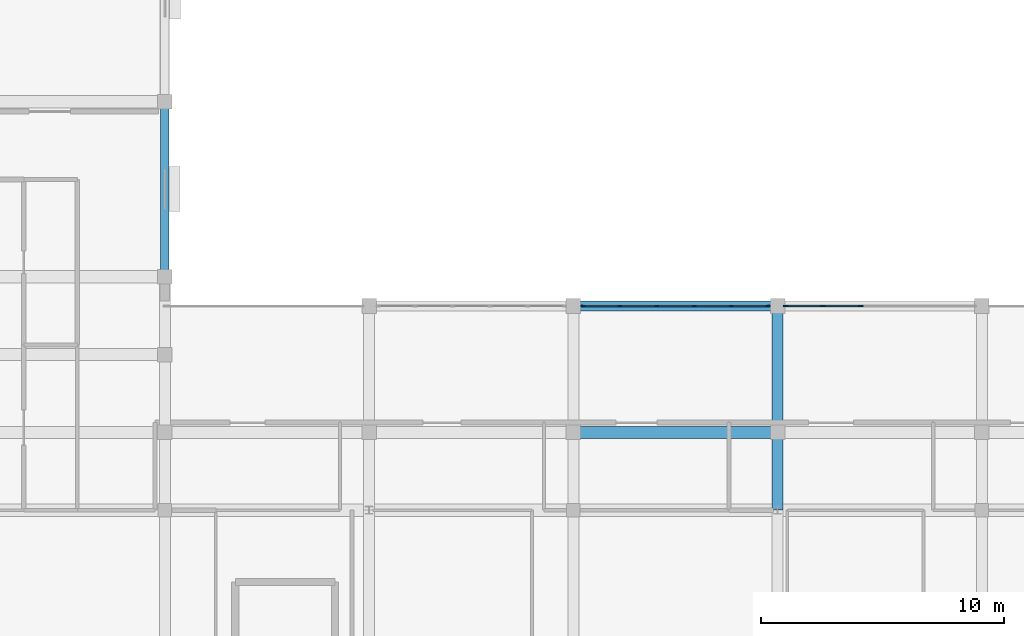
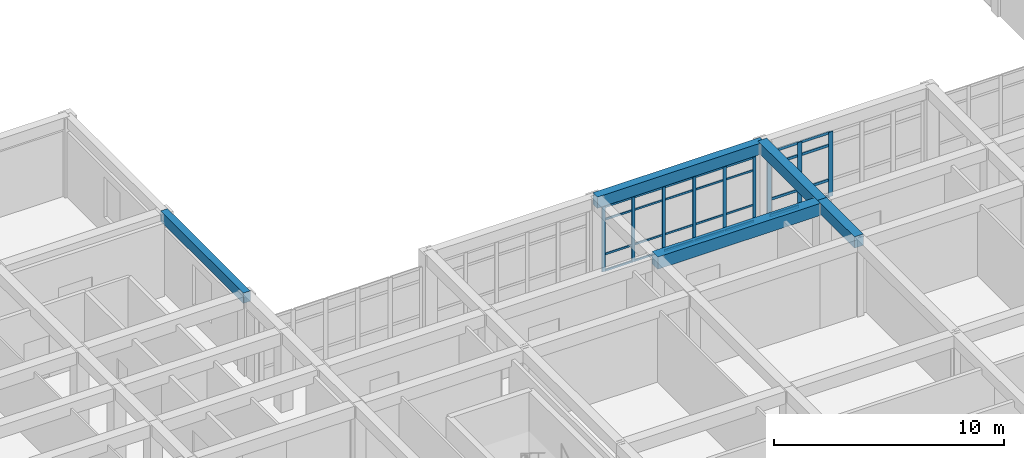
# One storey, part 21 of 77: 37 members, 5 beams, 2 elements without a shape of their own.
"""IFC4 building model written with IfcOpenShell, lengths in metres."""

import ifcopenshell
import ifcopenshell.guid

model = None  # the IFC model being written
_history = None  # IfcOwnerHistory: only IFC2X3 demands one
_inside = {}  # id of a spatial element -> (the spatial element, [elements in it])
_under = {}  # id of a project, library or spatial element -> (it, [spatial elements below it])
_declared = {}  # id of a project -> (the project, [libraries it declares])
_typed = {}  # id of a type object -> (the type object, [elements of that type])
_made_of = {}  # id of a material, layer set ... -> (it, [elements and type objects made of it])


def new_model(schema):
    """Start an empty IFC model of exactly this schema.

    Asked for "IFC4X3", IfcOpenShell would pick the latest addendum, in which some entities
    have other attributes; the version numbers below select the first issue.
    IFC2X3 requires an IfcOwnerHistory on every rooted entity: one is made here for all.
    """
    global model, _history
    if schema == "IFC4X3":
        model = ifcopenshell.file(schema_version=(4, 3, 0, 0))
    else:
        model = ifcopenshell.file(schema=schema)
    _inside.clear()
    _under.clear()
    _declared.clear()
    _typed.clear()
    _made_of.clear()
    _history = None
    if model.schema == "IFC2X3":
        org = make("IfcOrganization", Name="unknown")
        user = make(
            "IfcPersonAndOrganization",
            ThePerson=make("IfcPerson", FamilyName="unknown"),
            TheOrganization=org,
        )
        app = make(
            "IfcApplication",
            ApplicationDeveloper=org,
            Version="unknown",
            ApplicationFullName="unknown",
            ApplicationIdentifier="unknown",
        )
        _history = make(
            "IfcOwnerHistory",
            OwningUser=user,
            OwningApplication=app,
            ChangeAction="ADDED",
            CreationDate=0,
        )
    return model


def make(cls, **values):
    """One entity of the class cls with the attributes given. An attribute that is None is left unset."""
    return model.create_entity(
        cls, **{name: value for name, value in values.items() if value is not None}
    )


def rooted(cls, **values):
    """An entity with a GlobalId (a new one), such as an element, a storey or a relation."""
    return make(cls, GlobalId=ifcopenshell.guid.new(), OwnerHistory=_history, **values)


def si_unit(unit_type, name, prefix=None):
    """IfcSIUnit, for example si_unit("LENGTHUNIT", "METRE", prefix="MILLI")."""
    return make("IfcSIUnit", UnitType=unit_type, Prefix=prefix, Name=name)


def assignment(units):
    """IfcUnitAssignment: the units of a project."""
    return None if units is None else make("IfcUnitAssignment", Units=units)


def point(xyz):
    """IfcCartesianPoint."""
    return None if xyz is None else make("IfcCartesianPoint", Coordinates=xyz)


def direction(xyz):
    """IfcDirection."""
    return None if xyz is None else make("IfcDirection", DirectionRatios=xyz)


def frame(location, z_axis=None, x_axis=None):
    """IfcAxis2Placement3D, a coordinate frame: its origin and axes. An axis left out is left unset."""
    return make(
        "IfcAxis2Placement3D",
        Location=point(location),
        Axis=direction(z_axis),
        RefDirection=direction(x_axis),
    )


def frame_2d(location, x_axis=None):
    """IfcAxis2Placement2D, a coordinate frame in the plane: its origin and x axis."""
    return make(
        "IfcAxis2Placement2D", Location=point(location), RefDirection=direction(x_axis)
    )


def origin():
    """The frame at (0, 0, 0) with its axes left unset."""
    return frame((0.0, 0.0, 0.0))


def origin_2d():
    """The frame at (0, 0) in the plane with its x axis left unset."""
    return frame_2d((0.0, 0.0))


def place(relative_to, where):
    """IfcLocalPlacement: puts the frame where relative to a parent placement (None: the world)."""
    return make(
        "IfcLocalPlacement", PlacementRelTo=relative_to, RelativePlacement=where
    )


def context(
    kind, dimensions, precision=None, world=None, true_north=None, identifier=None
):
    """IfcGeometricRepresentationContext, for example the 3D "Model" context."""
    return make(
        "IfcGeometricRepresentationContext",
        ContextIdentifier=identifier,
        ContextType=kind,
        CoordinateSpaceDimension=dimensions,
        Precision=precision,
        WorldCoordinateSystem=world,
        TrueNorth=true_north,
    )


def subcontext(parent, identifier, kind, view, scale=None):
    """IfcGeometricRepresentationSubContext, for example "Body" below "Model"."""
    return make(
        "IfcGeometricRepresentationSubContext",
        ContextIdentifier=identifier,
        ContextType=kind,
        ParentContext=parent,
        TargetScale=scale,
        TargetView=view,
    )


def project(units=None, contexts=None):
    """IfcProject with its units and contexts."""
    return rooted(
        "IfcProject",
        Name="project",
        RepresentationContexts=contexts,
        UnitsInContext=assignment(units),
    )


def spatial(cls, under=None, at=None, **own):
    """A site, building, storey or space (cls), placed at a placement, below another one or the project."""
    s = rooted(cls, ObjectPlacement=at, **own)
    if under is not None:
        _under.setdefault(under.id(), (under, []))[1].append(s)
    return s


def profile(cls, at=None, kind="AREA", **sizes):
    """A parametric profile (cls). Its sizes go by their IFC names, for example OverallWidth=200.0."""
    return make(cls, ProfileType=kind, Position=at, **sizes)


def rectangle(**sizes):
    """IfcRectangleProfileDef."""
    return profile("IfcRectangleProfileDef", **sizes)


def extrude(swept, where, along, depth):
    """IfcExtrudedAreaSolid: the profile swept, set in the frame where, extruded along a direction by depth."""
    return make(
        "IfcExtrudedAreaSolid",
        SweptArea=swept,
        Position=where,
        ExtrudedDirection=direction(along),
        Depth=depth,
    )


def shape(context_of_items, identifier, shape_type, items):
    """IfcShapeRepresentation: the items that make up one representation, for example the "Body"."""
    return make(
        "IfcShapeRepresentation",
        ContextOfItems=context_of_items,
        RepresentationIdentifier=identifier,
        RepresentationType=shape_type,
        Items=items,
    )


def material(Name=None, Category=None):
    """IfcMaterial."""
    return make("IfcMaterial", Name=Name, Category=Category)


def material_profile(
    of_material, cross_section, Name=None, Category=None, Priority=None
):
    """IfcMaterialProfile: a cross section and its material."""
    return make(
        "IfcMaterialProfile",
        Name=Name,
        Material=of_material,
        Profile=cross_section,
        Priority=Priority,
        Category=Category,
    )


def profile_set(profiles, Name=None, composite=None):
    """IfcMaterialProfileSet."""
    return make(
        "IfcMaterialProfileSet",
        Name=Name,
        MaterialProfiles=profiles,
        CompositeProfile=composite,
    )


def made_of(thing, what):
    """Note that an element or type object is made of a material, layer set ...; save() writes the relation."""
    if what is not None:
        _made_of.setdefault(what.id(), (what, []))[1].append(thing)
    return thing


def type_object(cls, material=None, **own):
    """A type object (cls), such as IfcWallType, which elements share."""
    return made_of(rooted(cls, **own), material)


def element(
    cls,
    number,
    at=None,
    inside=None,
    cuts=None,
    type_object=None,
    material=None,
    context=None,
    identifier="Body",
    shape_type=None,
    held_by="IfcProductDefinitionShape",
    body=None,
    shapes=None,
    **own,
):
    """One element of the class cls, such as IfcWall. Its Tag is "e" and its number.

    at: its placement. inside: the storey or other place that contains it. cuts: it is an
    opening in that element (IfcRelVoidsElement). A single representation is given by context,
    identifier, shape_type and body (its items); several are given by shapes. held_by: the class
    of the entity that holds the representations. save() writes the other relations.
    """
    e = rooted(cls, Tag="e%d" % number, ObjectPlacement=at, **own)
    if body is not None:
        shapes = [shape(context, identifier, shape_type, body)]
    if shapes is not None:
        e.Representation = make(held_by, Representations=shapes)
    if inside is not None:
        _inside.setdefault(inside.id(), (inside, []))[1].append(e)
    if cuts is not None:
        rooted(
            "IfcRelVoidsElement", RelatingBuildingElement=cuts, RelatedOpeningElement=e
        )
    if type_object is not None:
        _typed.setdefault(type_object.id(), (type_object, []))[1].append(e)
    return made_of(e, material)


def aggregate(whole, parts):
    """IfcRelAggregates: a whole, such as a stair, and the parts it consists of."""
    return rooted("IfcRelAggregates", RelatingObject=whole, RelatedObjects=parts)


def save(model, path):
    """Write the relations noted so far, then the file.

    IfcRelAggregates (storeys below a building ...), IfcRelContainedInSpatialStructure (elements
    in a storey), IfcRelDefinesByType, IfcRelAssociatesMaterial and IfcRelDeclares: one each for
    every whole, place, type object, material and project.
    """
    for whole, parts in _under.values():
        aggregate(whole, parts)
    for where, things in _inside.values():
        rooted(
            "IfcRelContainedInSpatialStructure",
            RelatedElements=things,
            RelatingStructure=where,
        )
    for kind, things in _typed.values():
        rooted("IfcRelDefinesByType", RelatedObjects=things, RelatingType=kind)
    for what, things in _made_of.values():
        rooted("IfcRelAssociatesMaterial", RelatedObjects=things, RelatingMaterial=what)
    for by, libraries in _declared.values():
        rooted("IfcRelDeclares", RelatingContext=by, RelatedDefinitions=libraries)
    model.write(path)


model = new_model("IFC4")

# Units and contexts
model_context = context("Model", 3, precision=1e-05, world=origin(), true_north=direction((0.0, 1.0)))
body_context = subcontext(model_context, "Body", "Model", "MODEL_VIEW")
ifc_project = project(units=[si_unit("LENGTHUNIT", "METRE"), si_unit("AREAUNIT", "SQUARE_METRE"), si_unit("VOLUMEUNIT", "CUBIC_METRE"), si_unit("PLANEANGLEUNIT", "RADIAN"), si_unit("MASSUNIT", "GRAM", prefix="KILO")], contexts=[model_context])

# Site, building, storey
site_placement = place(None, origin())
site = spatial("IfcSite", under=ifc_project, at=site_placement, CompositionType="ELEMENT")
building_placement = place(site_placement, origin())
building = spatial("IfcBuilding", under=site, at=building_placement, Name="Varncliffe General Hospital", CompositionType="ELEMENT")
storey_placement = place(building_placement, frame((0.0, 0.0, 16.199951171875)))
storey = spatial("IfcBuildingStorey", under=building, at=storey_placement, Name="L03", CompositionType="ELEMENT", Elevation=16.199951171875)

# Beams
ifc_material_1 = material(Name="Concrete C35/45 (CSA A23.1 35 MPa)", Category="concrete")
ifc_material_profile_1 = material_profile(ifc_material_1, rectangle(XDim=0.5, YDim=0.64990234375, at=origin_2d()), Name="RC 500x650")
ifc_profile_set_1 = profile_set([ifc_material_profile_1], Name="Concrete C35/45 (CSA A23.1 35 MPa)")
beam_type_1 = type_object("IfcBeamType", Name="Beam B29 (Int RC 500x650)", PredefinedType="BEAM", material=ifc_profile_set_1)
beam_1_placement = place(storey_placement, frame((84.0, 102.800048828125, 3.875), z_axis=(1.0, 0.0, 0.0), x_axis=(0.0, 1.0, 0.0)))
element("IfcBeam", 1, at=beam_1_placement, inside=storey, type_object=beam_type_1, Name="L03 Primary Beam B29-135", PredefinedType="BEAM", context=body_context, shape_type="SweptSolid", body=[
    extrude(rectangle(XDim=0.5, YDim=0.64990234375, at=origin_2d()), origin(), (0.0, 0.0, 1.0), 8.39990234375),
])
ifc_material_profile_2 = material_profile(ifc_material_1, rectangle(XDim=0.449951171875, YDim=0.60009765625, at=origin_2d()), Name="RC 450x600")
ifc_profile_set_2 = profile_set([ifc_material_profile_2], Name="Concrete C35/45 (CSA A23.1 35 MPa)")
beam_type_2 = type_object("IfcBeamType", Name="Beam B47 (Int RC 450x600)", PredefinedType="BEAM", material=ifc_profile_set_2)
beam_2_placement = place(storey_placement, frame((92.39990234375, 99.60009765625, 3.900146484375), z_axis=(0.0, 1.0, 0.0), x_axis=(-1.0, 0.0, 0.0)))
element("IfcBeam", 2, at=beam_2_placement, inside=storey, type_object=beam_type_2, Name="L03 Primary Beam B47-311", PredefinedType="BEAM", context=body_context, shape_type="SweptSolid", body=[
    extrude(rectangle(XDim=0.449951171875, YDim=0.60009765625, at=origin_2d()), origin(), (0.0, 0.0, 1.0), 3.199951171875),
])
beam_3_placement = place(storey_placement, frame((92.39990234375, 102.800048828125, 3.900146484375), z_axis=(0.0, 1.0, 0.0), x_axis=(-1.0, 0.0, 0.0)))
element("IfcBeam", 3, at=beam_3_placement, inside=storey, type_object=beam_type_2, Name="L03 Primary Beam B47-312", PredefinedType="BEAM", context=body_context, shape_type="SweptSolid", body=[
    extrude(rectangle(XDim=0.449951171875, YDim=0.60009765625, at=origin_2d()), origin(), (0.0, 0.0, 1.0), 5.199951171875),
])

# Curtain wall, members
ifc_material_2 = material(Name="Triple low-E argon insulated vision glazing", Category="glass")
curtain_wall_type_1 = type_object("IfcCurtainWallType", Name="Unitised Glazed Curtain Wall CW69 (7644x3440)", PredefinedType="USERDEFINED", material=ifc_material_2)
curtain_wall_1_placement = place(storey_placement, origin())
curtain_wall_1 = element("IfcCurtainWall", 4, at=curtain_wall_1_placement, inside=storey, type_object=curtain_wall_type_1, Name="L03 Glazed Curtain Wall CW69-155", ObjectType="GLAZED CURTAIN WALL", PredefinedType="USERDEFINED")
ifc_material_3 = material(Name="Dark bronze thermally broken aluminium framing", Category="aluminium")
ifc_material_profile_3 = material_profile(ifc_material_3, rectangle(XDim=0.06494140625, YDim=0.159912109375, at=origin_2d()), Name="ALU 65x160")
ifc_profile_set_3 = profile_set([ifc_material_profile_3], Name="Dark bronze thermally broken aluminium framing")
member_type_1 = type_object("IfcMemberType", Name="Curtain Wall Mullion CM65 (ALU 65x160)", PredefinedType="MULLION", material=ifc_profile_set_3)
member_1_placement = place(storey_placement, frame((84.410400390625, 108.0, 0.0), z_axis=(0.0, 0.0, 1.0), x_axis=(0.0, 1.0, 0.0)))
member_1 = element("IfcMember", 5, at=member_1_placement, type_object=member_type_1, Name="CW69 mullion 1", PredefinedType="MULLION", context=body_context, shape_type="SweptSolid", body=[
    extrude(rectangle(XDim=0.06494140625, YDim=0.159912109375, at=origin_2d()), origin(), (0.0, 0.0, 1.0), 3.43994140625),
])
member_2_placement = place(storey_placement, frame((85.90673828125, 108.0, 0.0), z_axis=(0.0, 0.0, 1.0), x_axis=(0.0, 1.0, 0.0)))
member_2 = element("IfcMember", 6, at=member_2_placement, type_object=member_type_1, Name="CW69 mullion 2", PredefinedType="MULLION", context=body_context, shape_type="SweptSolid", body=[
    extrude(rectangle(XDim=0.06494140625, YDim=0.159912109375, at=origin_2d()), origin(), (0.0, 0.0, 1.0), 3.43994140625),
])
member_3_placement = place(storey_placement, frame((87.435546875, 108.0, 0.0), z_axis=(0.0, 0.0, 1.0), x_axis=(0.0, 1.0, 0.0)))
member_3 = element("IfcMember", 7, at=member_3_placement, type_object=member_type_1, Name="CW69 mullion 3", PredefinedType="MULLION", context=body_context, shape_type="SweptSolid", body=[
    extrude(rectangle(XDim=0.06494140625, YDim=0.159912109375, at=origin_2d()), origin(), (0.0, 0.0, 1.0), 3.43994140625),
])
member_4_placement = place(storey_placement, frame((88.96435546875, 108.0, 0.0), z_axis=(0.0, 0.0, 1.0), x_axis=(0.0, 1.0, 0.0)))
member_4 = element("IfcMember", 8, at=member_4_placement, type_object=member_type_1, Name="CW69 mullion 4", PredefinedType="MULLION", context=body_context, shape_type="SweptSolid", body=[
    extrude(rectangle(XDim=0.06494140625, YDim=0.159912109375, at=origin_2d()), origin(), (0.0, 0.0, 1.0), 3.43994140625),
])
member_5_placement = place(storey_placement, frame((90.4931640625, 108.0, 0.0), z_axis=(0.0, 0.0, 1.0), x_axis=(0.0, 1.0, 0.0)))
member_5 = element("IfcMember", 9, at=member_5_placement, type_object=member_type_1, Name="CW69 mullion 5", PredefinedType="MULLION", context=body_context, shape_type="SweptSolid", body=[
    extrude(rectangle(XDim=0.06494140625, YDim=0.159912109375, at=origin_2d()), origin(), (0.0, 0.0, 1.0), 3.43994140625),
])
member_6_placement = place(storey_placement, frame((91.989501953125, 108.0, 0.0), z_axis=(0.0, 0.0, 1.0), x_axis=(0.0, 1.0, 0.0)))
member_6 = element("IfcMember", 10, at=member_6_placement, type_object=member_type_1, Name="CW69 mullion 6", PredefinedType="MULLION", context=body_context, shape_type="SweptSolid", body=[
    extrude(rectangle(XDim=0.06494140625, YDim=0.159912109375, at=origin_2d()), origin(), (0.0, 0.0, 1.0), 3.43994140625),
])

curtain_wall_type_2 = type_object("IfcCurtainWallType", Name="Unitised Glazed Curtain Wall CW36 (7804x3440)", PredefinedType="USERDEFINED", material=ifc_material_2)
curtain_wall_2_placement = place(storey_placement, origin())
curtain_wall_2 = element("IfcCurtainWall", 11, at=curtain_wall_2_placement, inside=storey, type_object=curtain_wall_type_2, Name="L03 Glazed Curtain Wall CW36-156", ObjectType="GLAZED CURTAIN WALL", PredefinedType="USERDEFINED")
ifc_material_profile_4 = material_profile(ifc_material_3, rectangle(XDim=0.074951171875, YDim=0.219970703125, at=origin_2d()), Name="ALU 75x220")
ifc_profile_set_4 = profile_set([ifc_material_profile_4], Name="Dark bronze thermally broken aluminium framing")
member_type_2 = type_object("IfcMemberType", Name="Curtain Wall Mullion CM74 (ALU 75x220)", PredefinedType="MULLION", material=ifc_profile_set_4)
member_7_placement = place(storey_placement, frame((92.735595703125, 108.0, 0.0), z_axis=(0.0, 0.0, 1.0), x_axis=(0.0, 1.0, 0.0)))
member_7 = element("IfcMember", 12, at=member_7_placement, type_object=member_type_2, Name="CW36 mullion 1", PredefinedType="MULLION", context=body_context, shape_type="SweptSolid", body=[
    extrude(rectangle(XDim=0.074951171875, YDim=0.219970703125, at=origin_2d()), origin(), (0.0, 0.0, 1.0), 3.43994140625),
])
member_8_placement = place(storey_placement, frame((94.2587890625, 108.0, 0.0), z_axis=(0.0, 0.0, 1.0), x_axis=(0.0, 1.0, 0.0)))
member_8 = element("IfcMember", 13, at=member_8_placement, type_object=member_type_2, Name="CW36 mullion 2", PredefinedType="MULLION", context=body_context, shape_type="SweptSolid", body=[
    extrude(rectangle(XDim=0.074951171875, YDim=0.219970703125, at=origin_2d()), origin(), (0.0, 0.0, 1.0), 3.43994140625),
])
member_9_placement = place(storey_placement, frame((95.819580078125, 108.0, 0.0), z_axis=(0.0, 0.0, 1.0), x_axis=(0.0, 1.0, 0.0)))
member_9 = element("IfcMember", 14, at=member_9_placement, type_object=member_type_2, Name="CW36 mullion 3", PredefinedType="MULLION", context=body_context, shape_type="SweptSolid", body=[
    extrude(rectangle(XDim=0.074951171875, YDim=0.219970703125, at=origin_2d()), origin(), (0.0, 0.0, 1.0), 3.43994140625),
])

# Member
ifc_material_profile_5 = material_profile(ifc_material_3, rectangle(XDim=0.06005859375, YDim=0.10009765625, at=origin_2d()), Name="ALU 60x100")
ifc_profile_set_5 = profile_set([ifc_material_profile_5], Name="Dark bronze thermally broken aluminium framing")
member_type_3 = type_object("IfcMemberType", Name="Curtain Wall Transom CT18 (ALU 60x100)", PredefinedType="USERDEFINED", material=ifc_profile_set_5)
member_10_placement = place(storey_placement, frame((84.443115234375, 108.0, 0.030029296875), z_axis=(1.0, 0.0, 0.0), x_axis=(0.0, 1.0, 0.0)))
member_10 = element("IfcMember", 15, at=member_10_placement, type_object=member_type_3, Name="CW69 transom 1.1", ObjectType="TRANSOM", PredefinedType="USERDEFINED", context=body_context, shape_type="SweptSolid", body=[
    extrude(rectangle(XDim=0.06005859375, YDim=0.10009765625, at=origin_2d()), origin(), (0.0, 0.0, 1.0), 1.43115234375),
])

member_11_placement = place(storey_placement, frame((84.443115234375, 108.0, 0.900146484375), z_axis=(1.0, 0.0, 0.0), x_axis=(0.0, 1.0, 0.0)))
member_11 = element("IfcMember", 16, at=member_11_placement, type_object=member_type_3, Name="CW69 transom 1.2", ObjectType="TRANSOM", PredefinedType="USERDEFINED", context=body_context, shape_type="SweptSolid", body=[
    extrude(rectangle(XDim=0.06005859375, YDim=0.10009765625, at=origin_2d()), origin(), (0.0, 0.0, 1.0), 1.43115234375),
])

member_12_placement = place(storey_placement, frame((84.443115234375, 108.0, 2.739990234375), z_axis=(1.0, 0.0, 0.0), x_axis=(0.0, 1.0, 0.0)))
member_12 = element("IfcMember", 17, at=member_12_placement, type_object=member_type_3, Name="CW69 transom 1.3", ObjectType="TRANSOM", PredefinedType="USERDEFINED", context=body_context, shape_type="SweptSolid", body=[
    extrude(rectangle(XDim=0.06005859375, YDim=0.10009765625, at=origin_2d()), origin(), (0.0, 0.0, 1.0), 1.43115234375),
])

member_13_placement = place(storey_placement, frame((84.443115234375, 108.0, 3.41015625), z_axis=(1.0, 0.0, 0.0), x_axis=(0.0, 1.0, 0.0)))
member_13 = element("IfcMember", 18, at=member_13_placement, type_object=member_type_3, Name="CW69 transom 1.4", ObjectType="TRANSOM", PredefinedType="USERDEFINED", context=body_context, shape_type="SweptSolid", body=[
    extrude(rectangle(XDim=0.06005859375, YDim=0.10009765625, at=origin_2d()), origin(), (0.0, 0.0, 1.0), 1.43115234375),
])

member_14_placement = place(storey_placement, frame((85.939208984375, 108.0, 0.030029296875), z_axis=(1.0, 0.0, 0.0), x_axis=(0.0, 1.0, 0.0)))
member_14 = element("IfcMember", 19, at=member_14_placement, type_object=member_type_3, Name="CW69 transom 2.1", ObjectType="TRANSOM", PredefinedType="USERDEFINED", context=body_context, shape_type="SweptSolid", body=[
    extrude(rectangle(XDim=0.06005859375, YDim=0.10009765625, at=origin_2d()), origin(), (0.0, 0.0, 1.0), 1.4638671875),
])

member_15_placement = place(storey_placement, frame((85.939208984375, 108.0, 0.900146484375), z_axis=(1.0, 0.0, 0.0), x_axis=(0.0, 1.0, 0.0)))
member_15 = element("IfcMember", 20, at=member_15_placement, type_object=member_type_3, Name="CW69 transom 2.2", ObjectType="TRANSOM", PredefinedType="USERDEFINED", context=body_context, shape_type="SweptSolid", body=[
    extrude(rectangle(XDim=0.06005859375, YDim=0.10009765625, at=origin_2d()), origin(), (0.0, 0.0, 1.0), 1.4638671875),
])

member_16_placement = place(storey_placement, frame((85.939208984375, 108.0, 2.739990234375), z_axis=(1.0, 0.0, 0.0), x_axis=(0.0, 1.0, 0.0)))
member_16 = element("IfcMember", 21, at=member_16_placement, type_object=member_type_3, Name="CW69 transom 2.3", ObjectType="TRANSOM", PredefinedType="USERDEFINED", context=body_context, shape_type="SweptSolid", body=[
    extrude(rectangle(XDim=0.06005859375, YDim=0.10009765625, at=origin_2d()), origin(), (0.0, 0.0, 1.0), 1.4638671875),
])

member_17_placement = place(storey_placement, frame((85.939208984375, 108.0, 3.41015625), z_axis=(1.0, 0.0, 0.0), x_axis=(0.0, 1.0, 0.0)))
member_17 = element("IfcMember", 22, at=member_17_placement, type_object=member_type_3, Name="CW69 transom 2.4", ObjectType="TRANSOM", PredefinedType="USERDEFINED", context=body_context, shape_type="SweptSolid", body=[
    extrude(rectangle(XDim=0.06005859375, YDim=0.10009765625, at=origin_2d()), origin(), (0.0, 0.0, 1.0), 1.4638671875),
])

member_18_placement = place(storey_placement, frame((87.468017578125, 108.0, 0.030029296875), z_axis=(1.0, 0.0, 0.0), x_axis=(0.0, 1.0, 0.0)))
member_18 = element("IfcMember", 23, at=member_18_placement, type_object=member_type_3, Name="CW69 transom 3.1", ObjectType="TRANSOM", PredefinedType="USERDEFINED", context=body_context, shape_type="SweptSolid", body=[
    extrude(rectangle(XDim=0.06005859375, YDim=0.10009765625, at=origin_2d()), origin(), (0.0, 0.0, 1.0), 1.4638671875),
])

member_19_placement = place(storey_placement, frame((87.468017578125, 108.0, 0.900146484375), z_axis=(1.0, 0.0, 0.0), x_axis=(0.0, 1.0, 0.0)))
member_19 = element("IfcMember", 24, at=member_19_placement, type_object=member_type_3, Name="CW69 transom 3.2", ObjectType="TRANSOM", PredefinedType="USERDEFINED", context=body_context, shape_type="SweptSolid", body=[
    extrude(rectangle(XDim=0.06005859375, YDim=0.10009765625, at=origin_2d()), origin(), (0.0, 0.0, 1.0), 1.4638671875),
])

member_20_placement = place(storey_placement, frame((87.468017578125, 108.0, 2.739990234375), z_axis=(1.0, 0.0, 0.0), x_axis=(0.0, 1.0, 0.0)))
member_20 = element("IfcMember", 25, at=member_20_placement, type_object=member_type_3, Name="CW69 transom 3.3", ObjectType="TRANSOM", PredefinedType="USERDEFINED", context=body_context, shape_type="SweptSolid", body=[
    extrude(rectangle(XDim=0.06005859375, YDim=0.10009765625, at=origin_2d()), origin(), (0.0, 0.0, 1.0), 1.4638671875),
])

member_21_placement = place(storey_placement, frame((87.468017578125, 108.0, 3.41015625), z_axis=(1.0, 0.0, 0.0), x_axis=(0.0, 1.0, 0.0)))
member_21 = element("IfcMember", 26, at=member_21_placement, type_object=member_type_3, Name="CW69 transom 3.4", ObjectType="TRANSOM", PredefinedType="USERDEFINED", context=body_context, shape_type="SweptSolid", body=[
    extrude(rectangle(XDim=0.06005859375, YDim=0.10009765625, at=origin_2d()), origin(), (0.0, 0.0, 1.0), 1.4638671875),
])

member_22_placement = place(storey_placement, frame((88.996826171875, 108.0, 0.030029296875), z_axis=(1.0, 0.0, 0.0), x_axis=(0.0, 1.0, 0.0)))
member_22 = element("IfcMember", 27, at=member_22_placement, type_object=member_type_3, Name="CW69 transom 4.1", ObjectType="TRANSOM", PredefinedType="USERDEFINED", context=body_context, shape_type="SweptSolid", body=[
    extrude(rectangle(XDim=0.06005859375, YDim=0.10009765625, at=origin_2d()), origin(), (0.0, 0.0, 1.0), 1.4638671875),
])

member_23_placement = place(storey_placement, frame((88.996826171875, 108.0, 0.900146484375), z_axis=(1.0, 0.0, 0.0), x_axis=(0.0, 1.0, 0.0)))
member_23 = element("IfcMember", 28, at=member_23_placement, type_object=member_type_3, Name="CW69 transom 4.2", ObjectType="TRANSOM", PredefinedType="USERDEFINED", context=body_context, shape_type="SweptSolid", body=[
    extrude(rectangle(XDim=0.06005859375, YDim=0.10009765625, at=origin_2d()), origin(), (0.0, 0.0, 1.0), 1.4638671875),
])

member_24_placement = place(storey_placement, frame((88.996826171875, 108.0, 2.739990234375), z_axis=(1.0, 0.0, 0.0), x_axis=(0.0, 1.0, 0.0)))
member_24 = element("IfcMember", 29, at=member_24_placement, type_object=member_type_3, Name="CW69 transom 4.3", ObjectType="TRANSOM", PredefinedType="USERDEFINED", context=body_context, shape_type="SweptSolid", body=[
    extrude(rectangle(XDim=0.06005859375, YDim=0.10009765625, at=origin_2d()), origin(), (0.0, 0.0, 1.0), 1.4638671875),
])

member_25_placement = place(storey_placement, frame((88.996826171875, 108.0, 3.41015625), z_axis=(1.0, 0.0, 0.0), x_axis=(0.0, 1.0, 0.0)))
member_25 = element("IfcMember", 30, at=member_25_placement, type_object=member_type_3, Name="CW69 transom 4.4", ObjectType="TRANSOM", PredefinedType="USERDEFINED", context=body_context, shape_type="SweptSolid", body=[
    extrude(rectangle(XDim=0.06005859375, YDim=0.10009765625, at=origin_2d()), origin(), (0.0, 0.0, 1.0), 1.4638671875),
])

member_26_placement = place(storey_placement, frame((90.525634765625, 108.0, 0.030029296875), z_axis=(1.0, 0.0, 0.0), x_axis=(0.0, 1.0, 0.0)))
member_26 = element("IfcMember", 31, at=member_26_placement, type_object=member_type_3, Name="CW69 transom 5.1", ObjectType="TRANSOM", PredefinedType="USERDEFINED", context=body_context, shape_type="SweptSolid", body=[
    extrude(rectangle(XDim=0.06005859375, YDim=0.10009765625, at=origin_2d()), origin(), (0.0, 0.0, 1.0), 1.431396484375),
])

member_27_placement = place(storey_placement, frame((90.525634765625, 108.0, 0.900146484375), z_axis=(1.0, 0.0, 0.0), x_axis=(0.0, 1.0, 0.0)))
member_27 = element("IfcMember", 32, at=member_27_placement, type_object=member_type_3, Name="CW69 transom 5.2", ObjectType="TRANSOM", PredefinedType="USERDEFINED", context=body_context, shape_type="SweptSolid", body=[
    extrude(rectangle(XDim=0.06005859375, YDim=0.10009765625, at=origin_2d()), origin(), (0.0, 0.0, 1.0), 1.431396484375),
])

member_28_placement = place(storey_placement, frame((90.525634765625, 108.0, 2.739990234375), z_axis=(1.0, 0.0, 0.0), x_axis=(0.0, 1.0, 0.0)))
member_28 = element("IfcMember", 33, at=member_28_placement, type_object=member_type_3, Name="CW69 transom 5.3", ObjectType="TRANSOM", PredefinedType="USERDEFINED", context=body_context, shape_type="SweptSolid", body=[
    extrude(rectangle(XDim=0.06005859375, YDim=0.10009765625, at=origin_2d()), origin(), (0.0, 0.0, 1.0), 1.431396484375),
])

member_29_placement = place(storey_placement, frame((90.525634765625, 108.0, 3.41015625), z_axis=(1.0, 0.0, 0.0), x_axis=(0.0, 1.0, 0.0)))
member_29 = element("IfcMember", 34, at=member_29_placement, type_object=member_type_3, Name="CW69 transom 5.4", ObjectType="TRANSOM", PredefinedType="USERDEFINED", context=body_context, shape_type="SweptSolid", body=[
    extrude(rectangle(XDim=0.06005859375, YDim=0.10009765625, at=origin_2d()), origin(), (0.0, 0.0, 1.0), 1.431396484375),
])

aggregate(curtain_wall_1, [member_1, member_2, member_3, member_4, member_5, member_6, member_10, member_11, member_12, member_13, member_14, member_15, member_16, member_17, member_18, member_19, member_20, member_21, member_22, member_23, member_24, member_25, member_26, member_27, member_28, member_29])

ifc_material_profile_6 = material_profile(ifc_material_3, rectangle(XDim=0.06494140625, YDim=0.139892578125, at=origin_2d()), Name="ALU 65x140")
ifc_profile_set_6 = profile_set([ifc_material_profile_6], Name="Dark bronze thermally broken aluminium framing")
member_type_4 = type_object("IfcMemberType", Name="Curtain Wall Transom CT69 (ALU 65x140)", PredefinedType="USERDEFINED", material=ifc_profile_set_6)
member_30_placement = place(storey_placement, frame((92.77294921875, 108.0, 0.032470703125), z_axis=(1.0, 0.0, 0.0), x_axis=(0.0, 1.0, 0.0)))
member_30 = element("IfcMember", 35, at=member_30_placement, type_object=member_type_4, Name="CW36 transom 1.1", ObjectType="TRANSOM", PredefinedType="USERDEFINED", context=body_context, shape_type="SweptSolid", body=[
    extrude(rectangle(XDim=0.06494140625, YDim=0.139892578125, at=origin_2d()), origin(), (0.0, 0.0, 1.0), 1.4482421875),
])

member_31_placement = place(storey_placement, frame((92.77294921875, 108.0, 0.900146484375), z_axis=(1.0, 0.0, 0.0), x_axis=(0.0, 1.0, 0.0)))
member_31 = element("IfcMember", 36, at=member_31_placement, type_object=member_type_4, Name="CW36 transom 1.2", ObjectType="TRANSOM", PredefinedType="USERDEFINED", context=body_context, shape_type="SweptSolid", body=[
    extrude(rectangle(XDim=0.06494140625, YDim=0.139892578125, at=origin_2d()), origin(), (0.0, 0.0, 1.0), 1.4482421875),
])

member_32_placement = place(storey_placement, frame((92.77294921875, 108.0, 2.739990234375), z_axis=(1.0, 0.0, 0.0), x_axis=(0.0, 1.0, 0.0)))
member_32 = element("IfcMember", 37, at=member_32_placement, type_object=member_type_4, Name="CW36 transom 1.3", ObjectType="TRANSOM", PredefinedType="USERDEFINED", context=body_context, shape_type="SweptSolid", body=[
    extrude(rectangle(XDim=0.06494140625, YDim=0.139892578125, at=origin_2d()), origin(), (0.0, 0.0, 1.0), 1.4482421875),
])

member_33_placement = place(storey_placement, frame((92.77294921875, 108.0, 3.407470703125), z_axis=(1.0, 0.0, 0.0), x_axis=(0.0, 1.0, 0.0)))
member_33 = element("IfcMember", 38, at=member_33_placement, type_object=member_type_4, Name="CW36 transom 1.4", ObjectType="TRANSOM", PredefinedType="USERDEFINED", context=body_context, shape_type="SweptSolid", body=[
    extrude(rectangle(XDim=0.06494140625, YDim=0.139892578125, at=origin_2d()), origin(), (0.0, 0.0, 1.0), 1.4482421875),
])

member_34_placement = place(storey_placement, frame((94.29638671875, 108.0, 0.032470703125), z_axis=(1.0, 0.0, 0.0), x_axis=(0.0, 1.0, 0.0)))
member_34 = element("IfcMember", 39, at=member_34_placement, type_object=member_type_4, Name="CW36 transom 2.1", ObjectType="TRANSOM", PredefinedType="USERDEFINED", context=body_context, shape_type="SweptSolid", body=[
    extrude(rectangle(XDim=0.06494140625, YDim=0.139892578125, at=origin_2d()), origin(), (0.0, 0.0, 1.0), 1.485595703125),
])

member_35_placement = place(storey_placement, frame((94.29638671875, 108.0, 0.900146484375), z_axis=(1.0, 0.0, 0.0), x_axis=(0.0, 1.0, 0.0)))
member_35 = element("IfcMember", 40, at=member_35_placement, type_object=member_type_4, Name="CW36 transom 2.2", ObjectType="TRANSOM", PredefinedType="USERDEFINED", context=body_context, shape_type="SweptSolid", body=[
    extrude(rectangle(XDim=0.06494140625, YDim=0.139892578125, at=origin_2d()), origin(), (0.0, 0.0, 1.0), 1.485595703125),
])

member_36_placement = place(storey_placement, frame((94.29638671875, 108.0, 2.739990234375), z_axis=(1.0, 0.0, 0.0), x_axis=(0.0, 1.0, 0.0)))
member_36 = element("IfcMember", 41, at=member_36_placement, type_object=member_type_4, Name="CW36 transom 2.3", ObjectType="TRANSOM", PredefinedType="USERDEFINED", context=body_context, shape_type="SweptSolid", body=[
    extrude(rectangle(XDim=0.06494140625, YDim=0.139892578125, at=origin_2d()), origin(), (0.0, 0.0, 1.0), 1.485595703125),
])

member_37_placement = place(storey_placement, frame((94.29638671875, 108.0, 3.407470703125), z_axis=(1.0, 0.0, 0.0), x_axis=(0.0, 1.0, 0.0)))
member_37 = element("IfcMember", 42, at=member_37_placement, type_object=member_type_4, Name="CW36 transom 2.4", ObjectType="TRANSOM", PredefinedType="USERDEFINED", context=body_context, shape_type="SweptSolid", body=[
    extrude(rectangle(XDim=0.06494140625, YDim=0.139892578125, at=origin_2d()), origin(), (0.0, 0.0, 1.0), 1.485595703125),
])

aggregate(curtain_wall_2, [member_7, member_8, member_9, member_30, member_31, member_32, member_33, member_34, member_35, member_36, member_37])

# Beams
ifc_material_profile_7 = material_profile(ifc_material_1, rectangle(XDim=0.35009765625, YDim=0.550048828125, at=origin_2d()), Name="RC 350x550")
ifc_profile_set_7 = profile_set([ifc_material_profile_7], Name="Concrete C35/45 (CSA A23.1 35 MPa)")
beam_type_3 = type_object("IfcBeamType", Name="Spandrel SP20 (Ext RC 350x550)", PredefinedType="SPANDREL", material=ifc_profile_set_7)
beam_4_placement = place(storey_placement, frame((67.199951171875, 109.199951171875, 3.925048828125), z_axis=(0.0, 1.0, 0.0), x_axis=(-1.0, 0.0, 0.0)))
element("IfcBeam", 43, at=beam_4_placement, inside=storey, type_object=beam_type_3, Name="L03 Spandrel Beam SP20-296", PredefinedType="SPANDREL", context=body_context, shape_type="SweptSolid", body=[
    extrude(rectangle(XDim=0.35009765625, YDim=0.550048828125, at=origin_2d()), origin(), (0.0, 0.0, 1.0), 7.199951171875),
])
ifc_material_profile_8 = material_profile(ifc_material_1, rectangle(XDim=0.39990234375, YDim=0.60009765625, at=origin_2d()), Name="RC 400x600")
ifc_profile_set_8 = profile_set([ifc_material_profile_8], Name="Concrete C35/45 (CSA A23.1 35 MPa)")
beam_type_4 = type_object("IfcBeamType", Name="Spandrel SP58 (Ext RC 400x600B)", PredefinedType="SPANDREL", material=ifc_profile_set_8)
beam_5_placement = place(storey_placement, frame((84.0, 108.0, 3.900146484375), z_axis=(1.0, 0.0, 0.0), x_axis=(0.0, 1.0, 0.0)))
element("IfcBeam", 44, at=beam_5_placement, inside=storey, type_object=beam_type_4, Name="L03 Spandrel Beam SP58-163", PredefinedType="SPANDREL", context=body_context, shape_type="SweptSolid", body=[
    extrude(rectangle(XDim=0.39990234375, YDim=0.60009765625, at=origin_2d()), origin(), (0.0, 0.0, 1.0), 8.39990234375),
])

save(model, "model.ifc")
